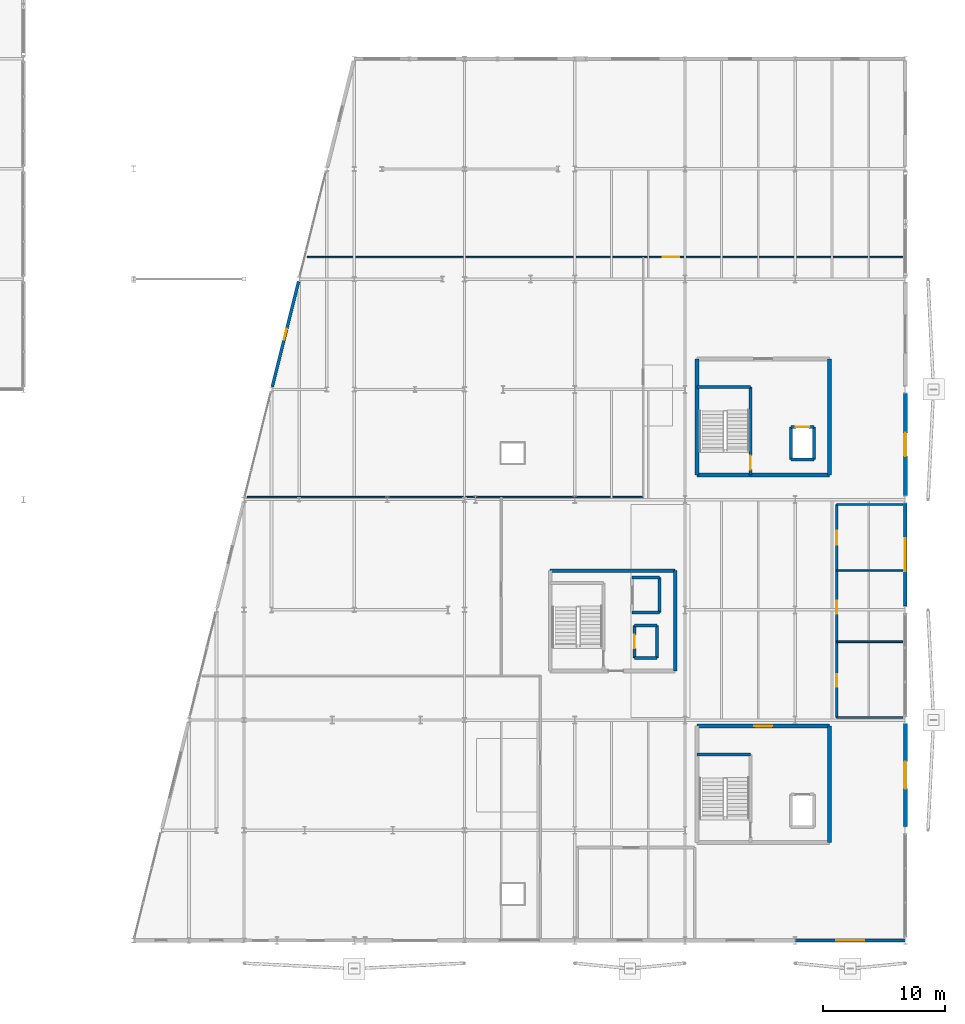
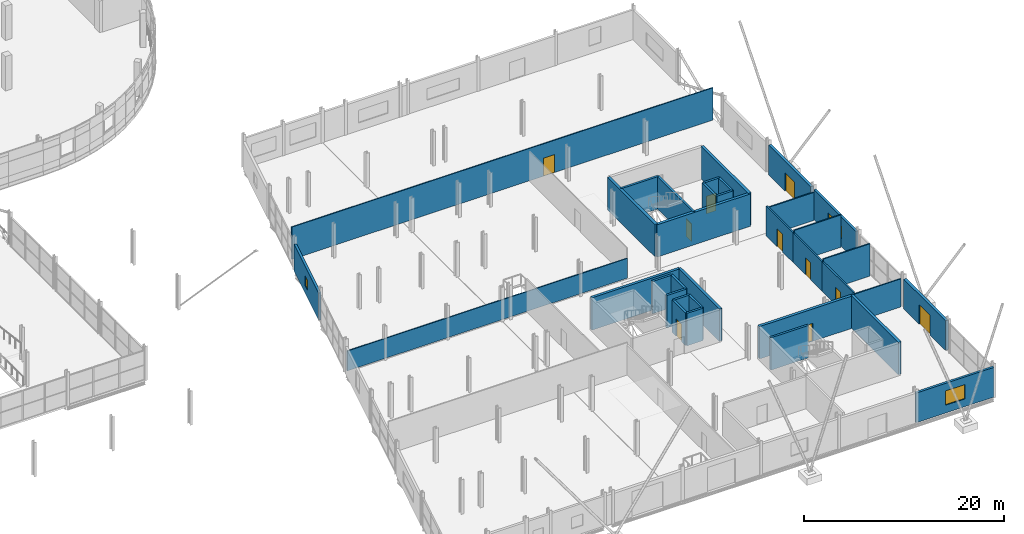
# One storey, part 124 of 140: 35 walls, 10 doors, 3 windows, 13 openings.
"""IFC4 building model written with IfcOpenShell, lengths in metres."""

from ifc_helpers import new_model, si_unit, direction, frame, frame_2d, origin, place, context, subcontext, project, spatial, rectangle, extrude, material, layer, layer_set, type_object, element, fill, save


model = new_model("IFC4")

# Units and contexts
model_context = context("Model", 3, precision=1e-05, world=origin(), true_north=direction((0.0, 1.0)))
body_context = subcontext(model_context, "Body", "Model", "MODEL_VIEW")
ifc_project = project(units=[si_unit("LENGTHUNIT", "METRE"), si_unit("AREAUNIT", "SQUARE_METRE"), si_unit("VOLUMEUNIT", "CUBIC_METRE"), si_unit("PLANEANGLEUNIT", "RADIAN"), si_unit("MASSUNIT", "GRAM", prefix="KILO")], contexts=[model_context])

# Site, building, storey
site_placement = place(None, origin())
site = spatial("IfcSite", under=ifc_project, at=site_placement, CompositionType="ELEMENT")
building_placement = place(site_placement, origin())
building = spatial("IfcBuilding", under=site, at=building_placement, Name="Deido Ridge Mobility Hub", CompositionType="ELEMENT")
storey_placement = place(building_placement, origin())
storey = spatial("IfcBuildingStorey", under=building, at=storey_placement, Name="L00", CompositionType="ELEMENT", Elevation=0.0)

# Wall, opening, window
ifc_material_1 = material(Name="Concrete blockwork masonry", Category="masonry")
ifc_layer_1 = layer(ifc_material_1, 0.264892578125, Name="Concrete blockwork masonry")
ifc_layer_set_1 = layer_set([ifc_layer_1], Name="Concrete blockwork masonry")
wall_type_1 = type_object("IfcWallType", Name="WL-EXT-BLK-265", PredefinedType="STANDARD", material=ifc_layer_set_1)
wall_1_placement = place(storey_placement, frame((171.0078125, 0.0, 0.0), z_axis=(0.0, 0.0, 1.0), x_axis=(1.0, 0.0, 0.0)))
wall_1 = element("IfcWall", 1, at=wall_1_placement, inside=storey, type_object=wall_type_1, Name="Exterior wall EW3", PredefinedType="STANDARD", context=body_context, shape_type="SweptSolid", body=[
    extrude(rectangle(XDim=8.984375, YDim=0.264892578125, at=frame_2d((4.4921875, 0.0))), origin(), (0.0, 0.0, 1.0), 3.625),
])
opening_1_placement = place(wall_1_placement, frame((3.3671875, 0.0, 0.949951171875)))
opening_1 = element("IfcOpeningElement", 2, at=opening_1_placement, cuts=wall_1, Name="Opening W10", PredefinedType="OPENING", context=body_context, shape_type="SweptSolid", body=[
    extrude(rectangle(XDim=2.25, YDim=1.75, at=frame_2d((1.125, 0.875))), frame((0.0, 0.142578125, 0.0), z_axis=(0.0, -1.0, 0.0), x_axis=(1.0, 0.0, 0.0)), (0.0, 0.0, 1.0), 0.284912109375),
])
ifc_material_2 = material(Name="Laminated solar-control low-E glass", Category="glass")
window_type_1 = type_object("IfcWindowType", Name="WN-ALU-2250X1750", PartitioningType="DOUBLE_PANEL_VERTICAL", PredefinedType="WINDOW", material=ifc_material_2)
window_1_placement = place(opening_1_placement, origin())
window_1 = element("IfcWindow", 3, at=window_1_placement, inside=storey, type_object=window_type_1, Name="Exterior window W10", OverallHeight=1.75, OverallWidth=2.25, PartitioningType="SINGLE_PANEL", PredefinedType="WINDOW", context=body_context, shape_type="SweptSolid", body=[
    extrude(rectangle(XDim=2.25, YDim=1.75, at=frame_2d((1.125, 0.875))), frame((0.0, 0.030029296875, 0.0), z_axis=(0.0, -1.0, 0.0), x_axis=(1.0, 0.0, 0.0)), (0.0, 0.0, 1.0), 0.06005859375),
])
fill(opening_1, window_1)

# Wall, opening, door
ifc_material_3 = material(Name="Fired clay brick masonry", Category="masonry")
ifc_layer_2 = layer(ifc_material_3, 0.31005859375, Name="Fired clay brick masonry")
ifc_layer_set_2 = layer_set([ifc_layer_2], Name="Fired clay brick masonry")
wall_type_2 = type_object("IfcWallType", Name="WL-EXT-BRK-310", PredefinedType="STANDARD", material=ifc_layer_set_2)
wall_2_placement = place(storey_placement, frame((180.0, 9.300048828125, 0.0), z_axis=(0.0, 0.0, 1.0), x_axis=(0.0, 1.0, 0.0)))
wall_2 = element("IfcWall", 4, at=wall_2_placement, inside=storey, type_object=wall_type_2, Name="Exterior wall EW1", PredefinedType="STANDARD", context=body_context, shape_type="SweptSolid", body=[
    extrude(rectangle(XDim=8.39990234375, YDim=0.31005859375, at=frame_2d((4.199951171875, 0.0))), origin(), (0.0, 0.0, 1.0), 3.625),
])
opening_2_placement = place(wall_2_placement, frame((3.10009765625, 0.0, 0.0)))
opening_2 = element("IfcOpeningElement", 5, at=opening_2_placement, cuts=wall_2, Name="Opening E8", PredefinedType="OPENING", context=body_context, shape_type="SweptSolid", body=[
    extrude(rectangle(XDim=2.199951171875, YDim=2.39990234375, at=frame_2d((1.10009765625, 1.199951171875))), frame((0.0, 0.1650390625, 0.0), z_axis=(0.0, -1.0, 0.0), x_axis=(1.0, 0.0, 0.0)), (0.0, 0.0, 1.0), 0.330078125),
])
ifc_material_4 = material(Name="Anodised aluminium EN AW-6063 T6", Category="aluminium")
door_type_1 = type_object("IfcDoorType", Name="DR-EXT-2200X2400", OperationType="DOUBLE_DOOR_SINGLE_SWING", PredefinedType="DOOR", material=ifc_material_4)
door_1_placement = place(opening_2_placement, frame((2.199951171875, 0.0, 0.0), z_axis=(0.0, 0.0, 1.0), x_axis=(-1.0, 0.0, 0.0)))
door_1 = element("IfcDoor", 6, at=door_1_placement, inside=storey, type_object=door_type_1, Name="DR-E0017 Final exit door E8", OperationType="DOUBLE_DOOR_SINGLE_SWING", OverallHeight=2.39990234375, OverallWidth=2.199951171875, PredefinedType="DOOR", context=body_context, shape_type="SweptSolid", body=[
    extrude(rectangle(XDim=2.199951171875, YDim=2.39990234375, at=frame_2d((1.10009765625, 1.199951171875))), frame((0.0, 0.02490234375, 0.0), z_axis=(0.0, -1.0, 0.0), x_axis=(1.0, 0.0, 0.0)), (0.0, 0.0, 1.0), 0.050048828125),
])
fill(opening_2, door_1)

wall_3_placement = place(storey_placement, frame((180.0, 36.300048828125, 0.0), z_axis=(0.0, 0.0, 1.0), x_axis=(0.0, 1.0, 0.0)))
wall_3 = element("IfcWall", 7, at=wall_3_placement, inside=storey, type_object=wall_type_2, Name="Exterior wall EW1", PredefinedType="STANDARD", context=body_context, shape_type="SweptSolid", body=[
    extrude(rectangle(XDim=8.39990234375, YDim=0.31005859375, at=frame_2d((4.199951171875, 0.0))), origin(), (0.0, 0.0, 1.0), 3.625),
])
opening_3_placement = place(wall_3_placement, frame((3.25, 0.0, 0.0)))
opening_3 = element("IfcOpeningElement", 8, at=opening_3_placement, cuts=wall_3, Name="Opening E9", PredefinedType="OPENING", context=body_context, shape_type="SweptSolid", body=[
    extrude(rectangle(XDim=1.89990234375, YDim=2.25, at=frame_2d((0.949951171875, 1.125))), frame((0.0, 0.1650390625, 0.0), z_axis=(0.0, -1.0, 0.0), x_axis=(1.0, 0.0, 0.0)), (0.0, 0.0, 1.0), 0.330078125),
])
door_type_2 = type_object("IfcDoorType", Name="DR-EXT-1900X2250", OperationType="DOUBLE_DOOR_SINGLE_SWING", PredefinedType="DOOR", material=ifc_material_4)
door_2_placement = place(opening_3_placement, frame((1.89990234375, 0.0, 0.0), z_axis=(0.0, 0.0, 1.0), x_axis=(-1.0, 0.0, 0.0)))
door_2 = element("IfcDoor", 9, at=door_2_placement, inside=storey, type_object=door_type_2, Name="DR-E0018 Final exit door E9", OperationType="DOUBLE_DOOR_SINGLE_SWING", OverallHeight=2.25, OverallWidth=1.89990234375, PredefinedType="DOOR", context=body_context, shape_type="SweptSolid", body=[
    extrude(rectangle(XDim=1.89990234375, YDim=2.25, at=frame_2d((0.949951171875, 1.125))), frame((0.0, 0.02490234375, 0.0), z_axis=(0.0, -1.0, 0.0), x_axis=(1.0, 0.0, 0.0)), (0.0, 0.0, 1.0), 0.050048828125),
])
fill(opening_3, door_2)

ifc_material_5 = material(Name="Treated tropical hardwood timber D40", Category="wood")
ifc_layer_3 = layer(ifc_material_5, 0.114990234375, Name="Treated tropical hardwood timber D40")
ifc_layer_set_3 = layer_set([ifc_layer_3], Name="Treated tropical hardwood timber D40")
wall_type_3 = type_object("IfcWallType", Name="WL-MOV-ACO-115", PredefinedType="MOVABLE", material=ifc_layer_set_3)
wall_4_placement = place(storey_placement, frame((131.14990234375, 55.800048828125, 0.0), z_axis=(0.0, 0.0, 1.0), x_axis=(1.0, 0.0, 0.0)))
wall_4 = element("IfcWall", 10, at=wall_4_placement, inside=storey, type_object=wall_type_3, Name="V6 north hall divider (L00)", PredefinedType="MOVABLE", context=body_context, shape_type="SweptSolid", body=[
    extrude(rectangle(XDim=48.650146484375, YDim=0.114990234375, at=frame_2d((24.3251953125, 0.0))), origin(), (0.0, 0.0, 1.0), 3.949951171875),
])
opening_4_placement = place(wall_4_placement, frame((29.050048828125, 0.0, 0.0)))
opening_4 = element("IfcOpeningElement", 11, at=opening_4_placement, cuts=wall_4, Name="Opening DR-L00-148", PredefinedType="OPENING", context=body_context, shape_type="SweptSolid", body=[
    extrude(rectangle(XDim=1.320068359375, YDim=2.199951171875, at=frame_2d((0.66015625, 1.10009765625))), frame((0.0, 0.0673828125, 0.0), z_axis=(0.0, -1.0, 0.0), x_axis=(1.0, 0.0, 0.0)), (0.0, 0.0, 1.0), 0.135009765625),
])
door_type_3 = type_object("IfcDoorType", Name="DR-INT-1320X2200", OperationType="NOTDEFINED", PredefinedType="DOOR", material=ifc_material_5)
door_3_placement = place(opening_4_placement, origin())
door_3 = element("IfcDoor", 12, at=door_3_placement, inside=storey, type_object=door_type_3, Name="DR-I0148 V6 north hall door (L00)", OperationType="SINGLE_SWING_LEFT", OverallHeight=2.199951171875, OverallWidth=1.320068359375, PredefinedType="DOOR", context=body_context, shape_type="SweptSolid", body=[
    extrude(rectangle(XDim=1.320068359375, YDim=2.199951171875, at=frame_2d((0.66015625, 1.10009765625))), frame((0.0, 0.02490234375, 0.0), z_axis=(0.0, -1.0, 0.0), x_axis=(1.0, 0.0, 0.0)), (0.0, 0.0, 1.0), 0.050048828125),
])
fill(opening_4, door_3)

# Wall, opening, window
ifc_layer_4 = layer(ifc_material_1, 0.2548828125, Name="Concrete blockwork masonry")
ifc_layer_set_4 = layer_set([ifc_layer_4], Name="Concrete blockwork masonry")
wall_type_4 = type_object("IfcWallType", Name="WL-PLG-BLK-255", PredefinedType="POLYGONAL", material=ifc_layer_set_4)
wall_5_placement = place(storey_placement, frame((128.30126953125, 45.20458984375, 0.0), z_axis=(0.0, 0.0, 1.0), x_axis=(0.242509676291, 0.970148986963, 0.0)))
wall_5 = element("IfcWall", 13, at=wall_5_placement, inside=storey, type_object=wall_type_4, Name="Exterior wall PGW2", PredefinedType="POLYGONAL", context=body_context, shape_type="SweptSolid", body=[
    extrude(rectangle(XDim=8.855224609375, YDim=0.2548828125, at=frame_2d((4.427734375, 0.0))), origin(), (0.0, 0.0, 1.0), 3.324951171875),
])
opening_5_placement = place(wall_5_placement, frame((3.9775390625, 0.0, 0.949951171875)))
opening_5 = element("IfcOpeningElement", 14, at=opening_5_placement, cuts=wall_5, Name="Opening W1", PredefinedType="OPENING", context=body_context, shape_type="SweptSolid", body=[
    extrude(rectangle(XDim=0.89990234375, YDim=1.199951171875, at=frame_2d((0.449951171875, 0.60009765625))), frame((0.0, 0.137451171875, 0.0), z_axis=(0.0, -1.0, 0.0), x_axis=(1.0, 0.0, 0.0)), (0.0, 0.0, 1.0), 0.27490234375),
])
window_type_2 = type_object("IfcWindowType", Name="WN-ALU-900X1200", PartitioningType="SINGLE_PANEL", PredefinedType="WINDOW", material=ifc_material_2)
window_2_placement = place(opening_5_placement, origin())
window_2 = element("IfcWindow", 15, at=window_2_placement, inside=storey, type_object=window_type_2, Name="Exterior window W1", OverallHeight=1.199951171875, OverallWidth=0.89990234375, PartitioningType="SINGLE_PANEL", PredefinedType="WINDOW", context=body_context, shape_type="SweptSolid", body=[
    extrude(rectangle(XDim=0.89990234375, YDim=1.199951171875, at=frame_2d((0.449951171875, 0.60009765625))), frame((0.0, 0.030029296875, 0.0), z_axis=(0.0, -1.0, 0.0), x_axis=(1.0, 0.0, 0.0)), (0.0, 0.0, 1.0), 0.06005859375),
])
fill(opening_5, window_2)

ifc_layer_5 = layer(ifc_material_3, 0.27490234375, Name="Fired clay brick masonry")
ifc_layer_set_5 = layer_set([ifc_layer_5], Name="Fired clay brick masonry")
wall_type_5 = type_object("IfcWallType", Name="WL-PLG-BRK-275", PredefinedType="POLYGONAL", material=ifc_layer_set_5)
wall_6_placement = place(storey_placement, frame((180.0, 27.300048828125, 0.0), z_axis=(0.0, 0.0, 1.0), x_axis=(0.0, 1.0, 0.0)))
wall_6 = element("IfcWall", 16, at=wall_6_placement, inside=storey, type_object=wall_type_5, Name="Exterior wall PGW1", PredefinedType="POLYGONAL", context=body_context, shape_type="SweptSolid", body=[
    extrude(rectangle(XDim=8.39990234375, YDim=0.27490234375, at=frame_2d((4.199951171875, 0.0))), origin(), (0.0, 0.0, 1.0), 3.625),
])
opening_6_placement = place(wall_6_placement, frame((2.85009765625, 0.0, 0.949951171875)))
opening_6 = element("IfcOpeningElement", 17, at=opening_6_placement, cuts=wall_6, Name="Opening W13", PredefinedType="OPENING", context=body_context, shape_type="SweptSolid", body=[
    extrude(rectangle(XDim=2.699951171875, YDim=1.60009765625, at=frame_2d((1.35009765625, 0.800048828125))), frame((0.0, 0.1474609375, 0.0), z_axis=(0.0, -1.0, 0.0), x_axis=(1.0, 0.0, 0.0)), (0.0, 0.0, 1.0), 0.294921875),
])
window_type_3 = type_object("IfcWindowType", Name="WN-ALU-2700X1600", PartitioningType="DOUBLE_PANEL_VERTICAL", PredefinedType="WINDOW", material=ifc_material_2)
window_3_placement = place(opening_6_placement, origin())
window_3 = element("IfcWindow", 18, at=window_3_placement, inside=storey, type_object=window_type_3, Name="Exterior window W13", OverallHeight=1.60009765625, OverallWidth=2.699951171875, PartitioningType="SINGLE_PANEL", PredefinedType="WINDOW", context=body_context, shape_type="SweptSolid", body=[
    extrude(rectangle(XDim=2.699951171875, YDim=1.60009765625, at=frame_2d((1.35009765625, 0.800048828125))), frame((0.0, 0.030029296875, 0.0), z_axis=(0.0, -1.0, 0.0), x_axis=(1.0, 0.0, 0.0)), (0.0, 0.0, 1.0), 0.06005859375),
])
fill(opening_6, window_3)

# Walls
ifc_layer_6 = layer(ifc_material_1, 0.110107421875, Name="Concrete blockwork masonry")
ifc_layer_set_6 = layer_set([ifc_layer_6], Name="Concrete blockwork masonry")
wall_type_6 = type_object("IfcWallType", Name="WL-PRT-BLK-110", PredefinedType="PARTITIONING", material=ifc_layer_set_6)
wall_7_placement = place(storey_placement, frame((126.25, 36.199951171875, 0.0), z_axis=(0.0, 0.0, 1.0), x_axis=(1.0, 0.0, 0.0)))
element("IfcWall", 19, at=wall_7_placement, inside=storey, type_object=wall_type_6, Name="V6 central-north cross wall (L00)", PredefinedType="PARTITIONING", context=body_context, shape_type="SweptSolid", body=[
    extrude(rectangle(XDim=32.35009765625, YDim=0.110107421875, at=frame_2d((16.175048828125, 0.0))), origin(), (0.0, 0.0, 1.0), 2.425048828125),
])
ifc_layer_7 = layer(ifc_material_1, 0.139892578125, Name="Concrete blockwork masonry")
ifc_layer_set_7 = layer_set([ifc_layer_7], Name="Concrete blockwork masonry")
wall_type_7 = type_object("IfcWallType", Name="WL-PRT-BLK-140", PredefinedType="PARTITIONING", material=ifc_layer_set_7)
wall_8_placement = place(storey_placement, frame((174.39990234375, 18.199951171875, 0.0), z_axis=(0.0, 0.0, 1.0), x_axis=(1.0, 0.0, 0.0)))
element("IfcWall", 20, at=wall_8_placement, inside=storey, type_object=wall_type_7, Name="WC cross wall (L00)", PredefinedType="PARTITIONING", context=body_context, shape_type="SweptSolid", body=[
    extrude(rectangle(XDim=5.400146484375, YDim=0.139892578125, at=frame_2d((2.7001953125, 0.0))), origin(), (0.0, 0.0, 1.0), 3.425048828125),
])
for number, where, z_axis, x_axis, name in (
    (21, (174.39990234375, 24.39990234375, 0.0), (0.0, 0.0, 1.0), (1.0, 0.0, 0.0), "WC cross wall (L00)"),
    (22, (174.39990234375, 30.199951171875, 0.0), (0.0, 0.0, 1.0), (1.0, 0.0, 0.0), "WC cross wall (L00)"),
):
    element("IfcWall", number, at=place(storey_placement, frame(where, z_axis=z_axis, x_axis=x_axis)), inside=storey, type_object=wall_type_7, Name=name, PredefinedType="PARTITIONING", context=body_context, shape_type="SweptSolid", body=[
        extrude(rectangle(XDim=5.400146484375, YDim=0.139892578125, at=frame_2d((2.7001953125, 0.0))), origin(), (0.0, 0.0, 1.0), 3.949951171875),
    ])
wall_9_placement = place(storey_placement, frame((174.39990234375, 35.60009765625, 0.0), z_axis=(0.0, 0.0, 1.0), x_axis=(1.0, 0.0, 0.0)))
element("IfcWall", 23, at=wall_9_placement, inside=storey, type_object=wall_type_7, Name="WC cross wall (L00)", PredefinedType="PARTITIONING", context=body_context, shape_type="SweptSolid", body=[
    extrude(rectangle(XDim=5.400146484375, YDim=0.139892578125, at=frame_2d((2.7001953125, 0.0))), origin(), (0.0, 0.0, 1.0), 3.425048828125),
])

# Wall, opening, door
ifc_layer_8 = layer(ifc_material_1, 0.169921875, Name="Concrete blockwork masonry")
ifc_layer_set_8 = layer_set([ifc_layer_8], Name="Concrete blockwork masonry")
wall_type_8 = type_object("IfcWallType", Name="WL-PRT-BLK-170", PredefinedType="PARTITIONING", material=ifc_layer_set_8)
wall_10_placement = place(storey_placement, frame((174.39990234375, 24.39990234375, 0.0), z_axis=(0.0, 0.0, 1.0), x_axis=(0.0, 1.0, 0.0)))
wall_10 = element("IfcWall", 24, at=wall_10_placement, inside=storey, type_object=wall_type_8, Name="Female WC west wall (L00)", PredefinedType="PARTITIONING", context=body_context, shape_type="SweptSolid", body=[
    extrude(rectangle(XDim=5.800048828125, YDim=0.169921875, at=frame_2d((2.89990234375, 0.0))), origin(), (0.0, 0.0, 1.0), 3.625),
])
opening_7_placement = place(wall_10_placement, frame((2.300048828125, 0.0, 0.0)))
opening_7 = element("IfcOpeningElement", 25, at=opening_7_placement, cuts=wall_10, Name="Opening DR-L00-142", PredefinedType="OPENING", context=body_context, shape_type="SweptSolid", body=[
    extrude(rectangle(XDim=1.050048828125, YDim=2.10009765625, at=frame_2d((0.52490234375, 1.050048828125))), frame((0.0, 0.094970703125, 0.0), z_axis=(0.0, -1.0, 0.0), x_axis=(1.0, 0.0, 0.0)), (0.0, 0.0, 1.0), 0.18994140625),
])
ifc_material_6 = material(Name="Galvanised steel work", Category="steel")
door_type_4 = type_object("IfcDoorType", Name="DR-FD60-1050X2100", OperationType="NOTDEFINED", PredefinedType="DOOR", material=ifc_material_6)
door_4_placement = place(opening_7_placement, origin())
door_4 = element("IfcDoor", 26, at=door_4_placement, inside=storey, type_object=door_type_4, Name="DR-I0142 Female WC door (L00)", OperationType="SINGLE_SWING_LEFT", OverallHeight=2.10009765625, OverallWidth=1.050048828125, PredefinedType="DOOR", context=body_context, shape_type="SweptSolid", body=[
    extrude(rectangle(XDim=1.050048828125, YDim=2.10009765625, at=frame_2d((0.52490234375, 1.050048828125))), frame((0.0, 0.02490234375, 0.0), z_axis=(0.0, -1.0, 0.0), x_axis=(1.0, 0.0, 0.0)), (0.0, 0.0, 1.0), 0.050048828125),
])
fill(opening_7, door_4)

ifc_layer_9 = layer(ifc_material_1, 0.179931640625, Name="Concrete blockwork masonry")
ifc_layer_set_9 = layer_set([ifc_layer_9], Name="Concrete blockwork masonry")
wall_type_9 = type_object("IfcWallType", Name="WL-PRT-BLK-180", PredefinedType="PARTITIONING", material=ifc_layer_set_9)
wall_11_placement = place(storey_placement, frame((174.39990234375, 18.199951171875, 0.0), z_axis=(0.0, 0.0, 1.0), x_axis=(0.0, 1.0, 0.0)))
wall_11 = element("IfcWall", 27, at=wall_11_placement, inside=storey, type_object=wall_type_9, Name="Male WC west wall (L00)", PredefinedType="PARTITIONING", context=body_context, shape_type="SweptSolid", body=[
    extrude(rectangle(XDim=6.199951171875, YDim=0.179931640625, at=frame_2d((3.10009765625, 0.0))), origin(), (0.0, 0.0, 1.0), 3.625),
])
opening_8_placement = place(wall_11_placement, frame((2.5, 0.0, 0.0)))
opening_8 = element("IfcOpeningElement", 28, at=opening_8_placement, cuts=wall_11, Name="Opening DR-L00-141", PredefinedType="OPENING", context=body_context, shape_type="SweptSolid", body=[
    extrude(rectangle(XDim=1.050048828125, YDim=2.10009765625, at=frame_2d((0.52490234375, 1.050048828125))), frame((0.0, 0.10009765625, 0.0), z_axis=(0.0, -1.0, 0.0), x_axis=(1.0, 0.0, 0.0)), (0.0, 0.0, 1.0), 0.199951171875),
])
door_5_placement = place(opening_8_placement, origin())
door_5 = element("IfcDoor", 29, at=door_5_placement, inside=storey, type_object=door_type_4, Name="DR-I0141 Male WC door (L00)", OperationType="SINGLE_SWING_RIGHT", OverallHeight=2.10009765625, OverallWidth=1.050048828125, PredefinedType="DOOR", context=body_context, shape_type="SweptSolid", body=[
    extrude(rectangle(XDim=1.050048828125, YDim=2.10009765625, at=frame_2d((0.52490234375, 1.050048828125))), frame((0.0, 0.02490234375, 0.0), z_axis=(0.0, -1.0, 0.0), x_axis=(1.0, 0.0, 0.0)), (0.0, 0.0, 1.0), 0.050048828125),
])
fill(opening_8, door_5)

wall_12_placement = place(storey_placement, frame((174.39990234375, 30.199951171875, 0.0), z_axis=(0.0, 0.0, 1.0), x_axis=(0.0, 1.0, 0.0)))
wall_12 = element("IfcWall", 30, at=wall_12_placement, inside=storey, type_object=wall_type_9, Name="Accessible WC west wall (L00)", PredefinedType="PARTITIONING", context=body_context, shape_type="SweptSolid", body=[
    extrude(rectangle(XDim=5.400146484375, YDim=0.179931640625, at=frame_2d((2.7001953125, 0.0))), origin(), (0.0, 0.0, 1.0), 3.625),
])
opening_9_placement = place(wall_12_placement, frame((2.10009765625, 0.0, 0.0)))
opening_9 = element("IfcOpeningElement", 31, at=opening_9_placement, cuts=wall_12, Name="Opening DR-L00-143", PredefinedType="OPENING", context=body_context, shape_type="SweptSolid", body=[
    extrude(rectangle(XDim=1.14990234375, YDim=2.14990234375, at=frame_2d((0.574951171875, 1.074951171875))), frame((0.0, 0.10009765625, 0.0), z_axis=(0.0, -1.0, 0.0), x_axis=(1.0, 0.0, 0.0)), (0.0, 0.0, 1.0), 0.199951171875),
])
door_type_5 = type_object("IfcDoorType", Name="DR-FD60-1150X2150", OperationType="NOTDEFINED", PredefinedType="DOOR", material=ifc_material_6)
door_6_placement = place(opening_9_placement, origin())
door_6 = element("IfcDoor", 32, at=door_6_placement, inside=storey, type_object=door_type_5, Name="DR-I0143 Accessible WC door (L00)", OperationType="SINGLE_SWING_RIGHT", OverallHeight=2.14990234375, OverallWidth=1.14990234375, PredefinedType="DOOR", context=body_context, shape_type="SweptSolid", body=[
    extrude(rectangle(XDim=1.14990234375, YDim=2.14990234375, at=frame_2d((0.574951171875, 1.074951171875))), frame((0.0, 0.02490234375, 0.0), z_axis=(0.0, -1.0, 0.0), x_axis=(1.0, 0.0, 0.0)), (0.0, 0.0, 1.0), 0.050048828125),
])
fill(opening_9, door_6)

# Wall
ifc_material_7 = material(Name="Concrete C40/50", Category="concrete")
ifc_layer_10 = layer(ifc_material_7, 0.25, Name="Concrete C40/50")
ifc_layer_set_10 = layer_set([ifc_layer_10], Name="Concrete C40/50")
wall_type_10 = type_object("IfcWallType", Name="WL-SHR-RC-250", PredefinedType="SHEAR", material=ifc_layer_set_10)
wall_13_placement = place(storey_placement, frame((163.0, 15.199951171875, 0.0), z_axis=(0.0, 0.0, 1.0), x_axis=(1.0, 0.0, 0.0)))
element("IfcWall", 33, at=wall_13_placement, inside=storey, type_object=wall_type_10, Name="C1 stair shaft north wall", PredefinedType="SHEAR", context=body_context, shape_type="SweptSolid", body=[
    extrude(rectangle(XDim=4.360107421875, YDim=0.25, at=frame_2d((2.18017578125, 0.0))), origin(), (0.0, 0.0, 1.0), 3.949951171875),
])

# Wall, opening, door
wall_14_placement = place(storey_placement, frame((167.360107421875, 38.0, 0.0), z_axis=(0.0, 0.0, 1.0), x_axis=(0.0, 1.0, 0.0)))
wall_14 = element("IfcWall", 34, at=wall_14_placement, inside=storey, type_object=wall_type_10, Name="C2 stair shaft east wall", PredefinedType="SHEAR", context=body_context, shape_type="SweptSolid", body=[
    extrude(rectangle(XDim=7.199951171875, YDim=0.25, at=frame_2d((3.60009765625, 0.0))), origin(), (0.0, 0.0, 1.0), 3.949951171875),
])
opening_10_placement = place(wall_14_placement, frame((0.449951171875, 0.0, 0.0)))
opening_10 = element("IfcOpeningElement", 35, at=opening_10_placement, cuts=wall_14, Name="Opening FD-C2-L00", PredefinedType="OPENING", context=body_context, shape_type="SweptSolid", body=[
    extrude(rectangle(XDim=1.14990234375, YDim=2.14990234375, at=frame_2d((0.574951171875, 1.074951171875))), frame((0.0, 0.135009765625, 0.0), z_axis=(0.0, -1.0, 0.0), x_axis=(1.0, 0.0, 0.0)), (0.0, 0.0, 1.0), 0.27001953125),
])
door_7_placement = place(opening_10_placement, origin())
door_7 = element("IfcDoor", 36, at=door_7_placement, inside=storey, type_object=door_type_5, Name="DR-I0028 C2 protected stair door (L00)", OperationType="SINGLE_SWING_RIGHT", OverallHeight=2.14990234375, OverallWidth=1.14990234375, PredefinedType="DOOR", context=body_context, shape_type="SweptSolid", body=[
    extrude(rectangle(XDim=1.14990234375, YDim=2.14990234375, at=frame_2d((0.574951171875, 1.074951171875))), frame((0.0, 0.02490234375, 0.0), z_axis=(0.0, -1.0, 0.0), x_axis=(1.0, 0.0, 0.0)), (0.0, 0.0, 1.0), 0.050048828125),
])
fill(opening_10, door_7)

# Walls
wall_15_placement = place(storey_placement, frame((163.0, 45.199951171875, 0.0), z_axis=(0.0, 0.0, 1.0), x_axis=(1.0, 0.0, 0.0)))
element("IfcWall", 37, at=wall_15_placement, inside=storey, type_object=wall_type_10, Name="C2 stair shaft north wall", PredefinedType="SHEAR", context=body_context, shape_type="SweptSolid", body=[
    extrude(rectangle(XDim=4.360107421875, YDim=0.25, at=frame_2d((2.18017578125, 0.0))), origin(), (0.0, 0.0, 1.0), 3.949951171875),
])
wall_16_placement = place(storey_placement, frame((170.675048828125, 39.27490234375, 0.0), z_axis=(0.0, 0.0, 1.0), x_axis=(1.0, 0.0, 0.0)))
element("IfcWall", 38, at=wall_16_placement, inside=storey, type_object=wall_type_10, Name="Lift FL2 rear shaft wall", PredefinedType="SHEAR", context=body_context, shape_type="SweptSolid", body=[
    extrude(rectangle(XDim=1.849853515625, YDim=0.25, at=frame_2d((0.9248046875, 0.0))), origin(), (0.0, 0.0, 1.0), 3.949951171875),
])
for number, where, z_axis, x_axis, name in (
    (39, (170.675048828125, 39.27490234375, 0.0), (0.0, 0.0, 1.0), (0.0, 1.0, 0.0), "Lift FL2 west shaft wall"),
    (40, (172.52490234375, 39.27490234375, 0.0), (0.0, 0.0, 1.0), (0.0, 1.0, 0.0), "Lift FL2 east shaft wall"),
):
    element("IfcWall", number, at=place(storey_placement, frame(where, z_axis=z_axis, x_axis=x_axis)), inside=storey, type_object=wall_type_10, Name=name, PredefinedType="SHEAR", context=body_context, shape_type="SweptSolid", body=[
        extrude(rectangle(XDim=2.650146484375, YDim=0.25, at=frame_2d((1.3251953125, 0.0))), origin(), (0.0, 0.0, 1.0), 3.949951171875),
    ])

# Wall, opening, door
wall_17_placement = place(storey_placement, frame((170.675048828125, 41.925048828125, 0.0), z_axis=(0.0, 0.0, 1.0), x_axis=(1.0, 0.0, 0.0)))
wall_17 = element("IfcWall", 41, at=wall_17_placement, inside=storey, type_object=wall_type_10, Name="Lift FL2 landing wall", PredefinedType="SHEAR", context=body_context, shape_type="SweptSolid", body=[
    extrude(rectangle(XDim=1.849853515625, YDim=0.25, at=frame_2d((0.9248046875, 0.0))), origin(), (0.0, 0.0, 1.0), 3.949951171875),
])
opening_11_placement = place(wall_17_placement, frame((0.375, 0.0, 0.0)))
opening_11 = element("IfcOpeningElement", 42, at=opening_11_placement, cuts=wall_17, Name="Opening LD-FL2", PredefinedType="OPENING", context=body_context, shape_type="SweptSolid", body=[
    extrude(rectangle(XDim=1.10009765625, YDim=2.14990234375, at=frame_2d((0.550048828125, 1.074951171875))), frame((0.0, 0.135009765625, 0.0), z_axis=(0.0, -1.0, 0.0), x_axis=(1.0, 0.0, 0.0)), (0.0, 0.0, 1.0), 0.27001953125),
])
ifc_material_8 = material(Name="Stainless steel 316", Category="steel")
door_type_6 = type_object("IfcDoorType", Name="DR-LND-PAS-1100X2150", OperationType="DOUBLE_DOOR_SLIDING", PredefinedType="USERDEFINED", material=ifc_material_8)
door_8_placement = place(opening_11_placement, origin())
door_8 = element("IfcDoor", 43, at=door_8_placement, inside=storey, type_object=door_type_6, Name="DR-I0030 Lift FL2 sliding landing door (L00)", ObjectType="LANDING DOOR", OperationType="DOUBLE_DOOR_SLIDING", OverallHeight=2.14990234375, OverallWidth=1.10009765625, PredefinedType="USERDEFINED", context=body_context, shape_type="SweptSolid", body=[
    extrude(rectangle(XDim=1.10009765625, YDim=2.14990234375, at=frame_2d((0.550048828125, 1.074951171875))), frame((0.0, 0.02490234375, 0.0), z_axis=(0.0, -1.0, 0.0), x_axis=(1.0, 0.0, 0.0)), (0.0, 0.0, 1.0), 0.050048828125),
])
fill(opening_11, door_8)

# Walls
for number, where, z_axis, x_axis, name in (
    (44, (157.875, 23.074951171875, 0.0), (0.0, 0.0, 1.0), (1.0, 0.0, 0.0), "Lift PL1 south shaft wall"),
    (45, (157.875, 25.72509765625, 0.0), (0.0, 0.0, 1.0), (1.0, 0.0, 0.0), "Lift PL1 north shaft wall"),
):
    element("IfcWall", number, at=place(storey_placement, frame(where, z_axis=z_axis, x_axis=x_axis)), inside=storey, type_object=wall_type_10, Name=name, PredefinedType="SHEAR", context=body_context, shape_type="SweptSolid", body=[
        extrude(rectangle(XDim=1.85009765625, YDim=0.25, at=frame_2d((0.925048828125, 0.0))), origin(), (0.0, 0.0, 1.0), 3.949951171875),
    ])
wall_18_placement = place(storey_placement, frame((159.72509765625, 23.074951171875, 0.0), z_axis=(0.0, 0.0, 1.0), x_axis=(0.0, 1.0, 0.0)))
element("IfcWall", 46, at=wall_18_placement, inside=storey, type_object=wall_type_10, Name="Lift PL1 rear shaft wall", PredefinedType="SHEAR", context=body_context, shape_type="SweptSolid", body=[
    extrude(rectangle(XDim=2.650146484375, YDim=0.25, at=frame_2d((1.3251953125, 0.0))), origin(), (0.0, 0.0, 1.0), 3.949951171875),
])

# Wall, opening, door
wall_19_placement = place(storey_placement, frame((157.875, 23.074951171875, 0.0), z_axis=(0.0, 0.0, 1.0), x_axis=(0.0, 1.0, 0.0)))
wall_19 = element("IfcWall", 47, at=wall_19_placement, inside=storey, type_object=wall_type_10, Name="Lift PL1 landing wall", PredefinedType="SHEAR", context=body_context, shape_type="SweptSolid", body=[
    extrude(rectangle(XDim=2.650146484375, YDim=0.25, at=frame_2d((1.3251953125, 0.0))), origin(), (0.0, 0.0, 1.0), 3.949951171875),
])
opening_12_placement = place(wall_19_placement, frame((0.77490234375, 0.0, 0.0)))
opening_12 = element("IfcOpeningElement", 48, at=opening_12_placement, cuts=wall_19, Name="Opening LD-PL1", PredefinedType="OPENING", context=body_context, shape_type="SweptSolid", body=[
    extrude(rectangle(XDim=1.10009765625, YDim=2.14990234375, at=frame_2d((0.550048828125, 1.074951171875))), frame((0.0, 0.135009765625, 0.0), z_axis=(0.0, -1.0, 0.0), x_axis=(1.0, 0.0, 0.0)), (0.0, 0.0, 1.0), 0.27001953125),
])
door_9_placement = place(opening_12_placement, origin())
door_9 = element("IfcDoor", 49, at=door_9_placement, inside=storey, type_object=door_type_6, Name="DR-I0055 Lift PL1 sliding landing door (L00)", ObjectType="LANDING DOOR", OperationType="DOUBLE_DOOR_SLIDING", OverallHeight=2.14990234375, OverallWidth=1.10009765625, PredefinedType="USERDEFINED", context=body_context, shape_type="SweptSolid", body=[
    extrude(rectangle(XDim=1.10009765625, YDim=2.14990234375, at=frame_2d((0.550048828125, 1.074951171875))), frame((0.0, 0.02490234375, 0.0), z_axis=(0.0, -1.0, 0.0), x_axis=(1.0, 0.0, 0.0)), (0.0, 0.0, 1.0), 0.050048828125),
])
fill(opening_12, door_9)

# Walls
for number, where, z_axis, x_axis, name in (
    (50, (157.675048828125, 26.77490234375, 0.0), (0.0, 0.0, 1.0), (1.0, 0.0, 0.0), "Lift GL1 south shaft wall"),
    (51, (157.675048828125, 29.625, 0.0), (0.0, 0.0, 1.0), (1.0, 0.0, 0.0), "Lift GL1 north shaft wall"),
):
    element("IfcWall", number, at=place(storey_placement, frame(where, z_axis=z_axis, x_axis=x_axis)), inside=storey, type_object=wall_type_10, Name=name, PredefinedType="SHEAR", context=body_context, shape_type="SweptSolid", body=[
        extrude(rectangle(XDim=2.25, YDim=0.25, at=frame_2d((1.125, 0.0))), origin(), (0.0, 0.0, 1.0), 3.949951171875),
    ])
wall_20_placement = place(storey_placement, frame((159.925048828125, 26.77490234375, 0.0), z_axis=(0.0, 0.0, 1.0), x_axis=(0.0, 1.0, 0.0)))
element("IfcWall", 52, at=wall_20_placement, inside=storey, type_object=wall_type_10, Name="Lift GL1 rear shaft wall", PredefinedType="SHEAR", context=body_context, shape_type="SweptSolid", body=[
    extrude(rectangle(XDim=2.85009765625, YDim=0.25, at=frame_2d((1.425048828125, 0.0))), origin(), (0.0, 0.0, 1.0), 3.949951171875),
])
ifc_layer_11 = layer(ifc_material_7, 0.300048828125, Name="Concrete C40/50")
ifc_layer_set_11 = layer_set([ifc_layer_11], Name="Concrete C40/50")
wall_type_11 = type_object("IfcWallType", Name="WL-SHR-RC-300", PredefinedType="SHEAR", material=ifc_layer_set_11)
wall_21_placement = place(storey_placement, frame((161.199951171875, 22.0, 0.0), z_axis=(0.0, 0.0, 1.0), x_axis=(0.0, 1.0, 0.0)))
element("IfcWall", 53, at=wall_21_placement, inside=storey, type_object=wall_type_11, Name="C3 east shear wall", PredefinedType="SHEAR", context=body_context, shape_type="SweptSolid", body=[
    extrude(rectangle(XDim=8.199951171875, YDim=0.300048828125, at=frame_2d((4.10009765625, 0.0))), origin(), (0.0, 0.0, 1.0), 3.949951171875),
])
wall_22_placement = place(storey_placement, frame((161.199951171875, 30.199951171875, 0.0), z_axis=(0.0, 0.0, 1.0), x_axis=(-1.0, 0.0, 0.0)))
element("IfcWall", 54, at=wall_22_placement, inside=storey, type_object=wall_type_11, Name="C3 north shear wall", PredefinedType="SHEAR", context=body_context, shape_type="SweptSolid", body=[
    extrude(rectangle(XDim=10.199951171875, YDim=0.300048828125, at=frame_2d((5.10009765625, 0.0))), origin(), (0.0, 0.0, 1.0), 3.949951171875),
])
ifc_layer_12 = layer(ifc_material_7, 0.324951171875, Name="Concrete C40/50")
ifc_layer_set_12 = layer_set([ifc_layer_12], Name="Concrete C40/50")
wall_type_12 = type_object("IfcWallType", Name="WL-SHR-RC-325", PredefinedType="SHEAR", material=ifc_layer_set_12)
wall_23_placement = place(storey_placement, frame((173.800048828125, 8.0, 0.0), z_axis=(0.0, 0.0, 1.0), x_axis=(0.0, 1.0, 0.0)))
element("IfcWall", 55, at=wall_23_placement, inside=storey, type_object=wall_type_12, Name="C1 east shear wall", PredefinedType="SHEAR", context=body_context, shape_type="SweptSolid", body=[
    extrude(rectangle(XDim=9.5, YDim=0.324951171875, at=frame_2d((4.75, 0.0))), origin(), (0.0, 0.0, 1.0), 3.949951171875),
])

# Wall, opening, door
wall_24_placement = place(storey_placement, frame((173.800048828125, 17.5, 0.0), z_axis=(0.0, 0.0, 1.0), x_axis=(-1.0, 0.0, 0.0)))
wall_24 = element("IfcWall", 56, at=wall_24_placement, inside=storey, type_object=wall_type_12, Name="C1 north shear wall", PredefinedType="SHEAR", context=body_context, shape_type="SweptSolid", body=[
    extrude(rectangle(XDim=10.800048828125, YDim=0.324951171875, at=frame_2d((5.39990234375, 0.0))), origin(), (0.0, 0.0, 1.0), 3.949951171875),
])
opening_13_placement = place(wall_24_placement, frame((4.64990234375, 0.0, 0.0)))
opening_13 = element("IfcOpeningElement", 57, at=opening_13_placement, cuts=wall_24, Name="Opening LD-C1-005", PredefinedType="OPENING", context=body_context, shape_type="SweptSolid", body=[
    extrude(rectangle(XDim=1.5, YDim=2.199951171875, at=frame_2d((0.75, 1.10009765625))), frame((0.0, 0.17236328125, 0.0), z_axis=(0.0, -1.0, 0.0), x_axis=(1.0, 0.0, 0.0)), (0.0, 0.0, 1.0), 0.344970703125),
])
door_type_7 = type_object("IfcDoorType", Name="DR-FD60-1500X2200", OperationType="DOUBLE_DOOR_SINGLE_SWING", PredefinedType="DOOR", material=ifc_material_6)
door_10_placement = place(opening_13_placement, origin())
door_10 = element("IfcDoor", 58, at=door_10_placement, inside=storey, type_object=door_type_7, Name="DR-I0005 C1 firefighting lobby door (L00)", OperationType="DOUBLE_DOOR_SINGLE_SWING", OverallHeight=2.199951171875, OverallWidth=1.5, PredefinedType="DOOR", context=body_context, shape_type="SweptSolid", body=[
    extrude(rectangle(XDim=1.5, YDim=2.199951171875, at=frame_2d((0.75, 1.10009765625))), frame((0.0, 0.02490234375, 0.0), z_axis=(0.0, -1.0, 0.0), x_axis=(1.0, 0.0, 0.0)), (0.0, 0.0, 1.0), 0.050048828125),
])
fill(opening_13, door_10)

# Walls
wall_25_placement = place(storey_placement, frame((163.0, 38.0, 0.0), z_axis=(0.0, 0.0, 1.0), x_axis=(1.0, 0.0, 0.0)))
element("IfcWall", 59, at=wall_25_placement, inside=storey, type_object=wall_type_12, Name="C2 south shear wall", PredefinedType="SHEAR", context=body_context, shape_type="SweptSolid", body=[
    extrude(rectangle(XDim=10.800048828125, YDim=0.324951171875, at=frame_2d((5.39990234375, 0.0))), origin(), (0.0, 0.0, 1.0), 3.949951171875),
])
for number, where, z_axis, x_axis, name in (
    (60, (173.800048828125, 38.0, 0.0), (0.0, 0.0, 1.0), (0.0, 1.0, 0.0), "C2 east shear wall"),
    (61, (163.0, 47.5, 0.0), (0.0, 0.0, 1.0), (0.0, -1.0, 0.0), "C2 west shear wall"),
):
    element("IfcWall", number, at=place(storey_placement, frame(where, z_axis=z_axis, x_axis=x_axis)), inside=storey, type_object=wall_type_12, Name=name, PredefinedType="SHEAR", context=body_context, shape_type="SweptSolid", body=[
        extrude(rectangle(XDim=9.5, YDim=0.324951171875, at=frame_2d((4.75, 0.0))), origin(), (0.0, 0.0, 1.0), 3.949951171875),
    ])

save(model, "model.ifc")
